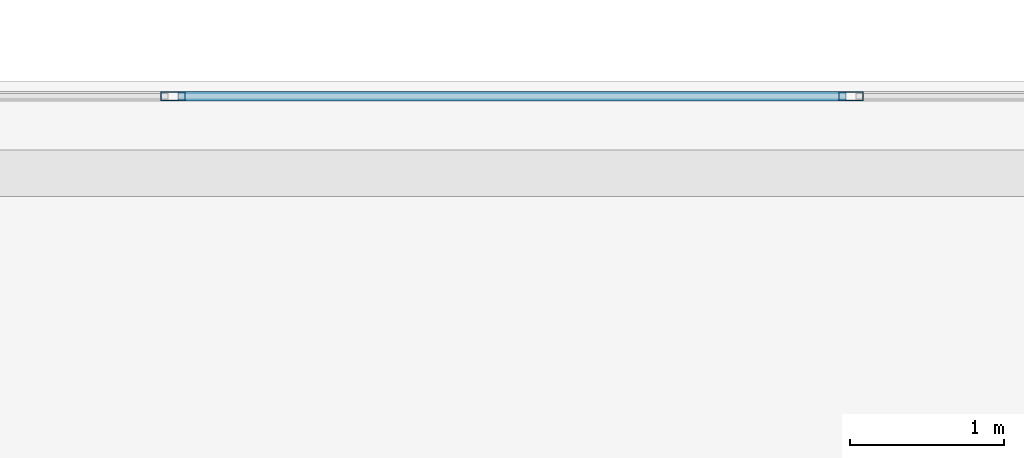
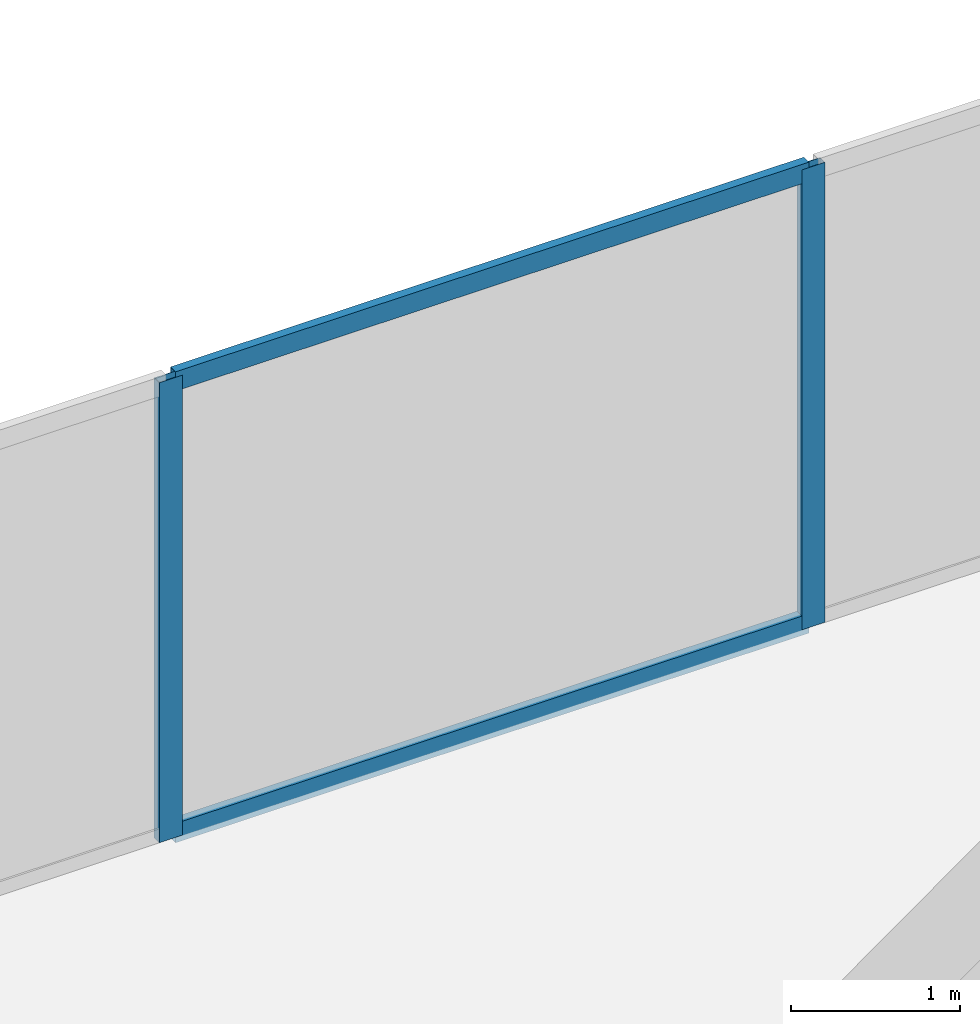
# One storey, part 22 of 32: 4 members, 1 element without a shape of its own.
"""IFC4 building model written with IfcOpenShell, lengths in metres."""

from ifc_helpers import new_model, si_unit, direction, frame, origin, origin_2d, place, context, subcontext, project, spatial, hollow_rectangle, extrude, material, layer, layer_set, material_profile, profile_set, type_object, element, aggregate, save


model = new_model("IFC4")

# Units and contexts
model_context = context("Model", 3, precision=1e-05, world=origin(), true_north=direction((0.0, 1.0)))
body_context = subcontext(model_context, "Body", "Model", "MODEL_VIEW")
ifc_project = project(units=[si_unit("LENGTHUNIT", "METRE"), si_unit("AREAUNIT", "SQUARE_METRE"), si_unit("VOLUMEUNIT", "CUBIC_METRE"), si_unit("PLANEANGLEUNIT", "RADIAN"), si_unit("MASSUNIT", "GRAM", prefix="KILO")], contexts=[model_context])

# Site, building, storey
site_placement = place(None, origin())
site = spatial("IfcSite", under=ifc_project, at=site_placement, CompositionType="ELEMENT")
building_placement = place(site_placement, origin())
building = spatial("IfcBuilding", under=site, at=building_placement, Name="Catumbela Crestline Tower", CompositionType="ELEMENT")
storey_placement = place(building_placement, frame((0.0, 0.0, 133.2)))
storey = spatial("IfcBuildingStorey", under=building, at=storey_placement, Name="L34", CompositionType="ELEMENT", Elevation=133.2)

# Curtain wall, members
ifc_material = material(Name="Aluminium alloy AW-6060-T66", Category="aluminium")
ifc_layer = layer(ifc_material, 0.18, Name="Aluminium alloy AW-6060-T66")
ifc_layer_set = layer_set([ifc_layer], Name="Aluminium alloy AW-6060-T66")
curtain_wall_type = type_object("IfcCurtainWallType", Name="CWU-Z2", PredefinedType="USERDEFINED", material=ifc_layer_set)
curtain_wall_placement = place(storey_placement, origin())
curtain_wall = element("IfcCurtainWall", 1, at=curtain_wall_placement, inside=storey, type_object=curtain_wall_type, Name="L34 Unitised Curtain Wall CW-L34-E7S1", ObjectType="UNITISED", PredefinedType="USERDEFINED")
ifc_material_profile_1 = material_profile(ifc_material, hollow_rectangle(XDim=0.06, YDim=0.16, WallThickness=0.004, at=origin_2d()), Name="ALU 160x60x4")
ifc_profile_set_1 = profile_set([ifc_material_profile_1], Name="Aluminium alloy AW-6060-T66")
member_type_1 = type_object("IfcMemberType", Name="MUL-160X60", PredefinedType="MULLION", material=ifc_profile_set_1)
member_1_placement = place(storey_placement, frame((29.9, 47.9, 0.0), z_axis=(0.0, 0.0, 1.0), x_axis=(0.0, -1.0, 0.0)))
member_1 = element("IfcMember", 2, at=member_1_placement, type_object=member_type_1, Name="CWU-Z2 mullion 5", PredefinedType="MULLION", context=body_context, shape_type="SweptSolid", body=[
    extrude(hollow_rectangle(XDim=0.06, YDim=0.16, WallThickness=0.004, at=origin_2d()), origin(), (0.0, 0.0, 1.0), 3.33),
])
member_2_placement = place(storey_placement, frame((25.5, 47.9, 0.0), z_axis=(0.0, 0.0, 1.0), x_axis=(0.0, -1.0, 0.0)))
member_2 = element("IfcMember", 3, at=member_2_placement, type_object=member_type_1, Name="CWU-Z2 mullion 6", PredefinedType="MULLION", context=body_context, shape_type="SweptSolid", body=[
    extrude(hollow_rectangle(XDim=0.06, YDim=0.16, WallThickness=0.004, at=origin_2d()), origin(), (0.0, 0.0, 1.0), 3.33),
])
ifc_material_profile_2 = material_profile(ifc_material, hollow_rectangle(XDim=0.06, YDim=0.14, WallThickness=0.004, at=origin_2d()), Name="ALU 140x60x4")
ifc_profile_set_2 = profile_set([ifc_material_profile_2], Name="Aluminium alloy AW-6060-T66")
member_type_2 = type_object("IfcMemberType", Name="TRN-140X60", PredefinedType="USERDEFINED", material=ifc_profile_set_2)
member_3_placement = place(storey_placement, frame((29.8675, 47.9, 0.03), z_axis=(-1.0, 0.0, 0.0), x_axis=(0.0, -1.0, 0.0)))
member_3 = element("IfcMember", 4, at=member_3_placement, type_object=member_type_2, Name="CWU-Z2 transom 5.1", ObjectType="TRANSOM", PredefinedType="USERDEFINED", context=body_context, shape_type="SweptSolid", body=[
    extrude(hollow_rectangle(XDim=0.06, YDim=0.14, WallThickness=0.004, at=origin_2d()), origin(), (0.0, 0.0, 1.0), 4.335),
])
member_4_placement = place(storey_placement, frame((29.8675, 47.9, 3.3), z_axis=(-1.0, 0.0, 0.0), x_axis=(0.0, -1.0, 0.0)))
member_4 = element("IfcMember", 5, at=member_4_placement, type_object=member_type_2, Name="CWU-Z2 transom 5.2", ObjectType="TRANSOM", PredefinedType="USERDEFINED", context=body_context, shape_type="SweptSolid", body=[
    extrude(hollow_rectangle(XDim=0.06, YDim=0.14, WallThickness=0.004, at=origin_2d()), origin(), (0.0, 0.0, 1.0), 4.335),
])
aggregate(curtain_wall, [member_1, member_2, member_3, member_4])

save(model, "model.ifc")
